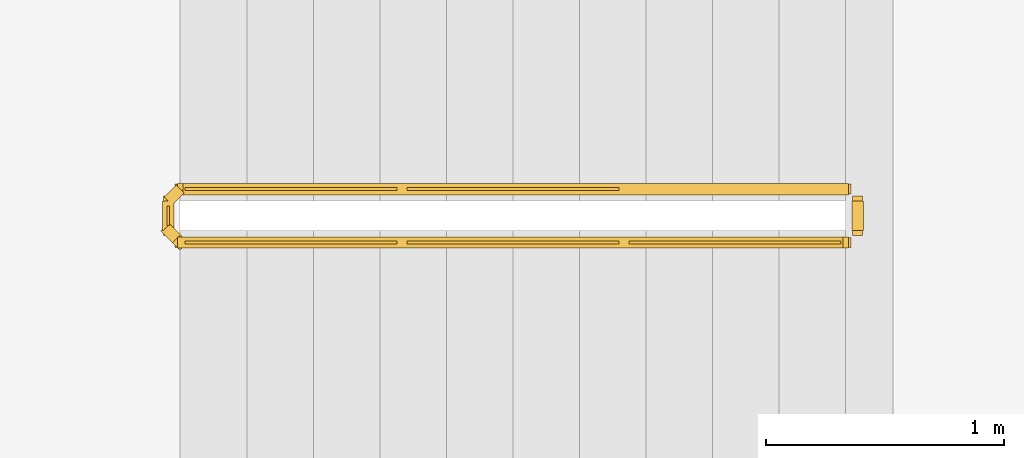
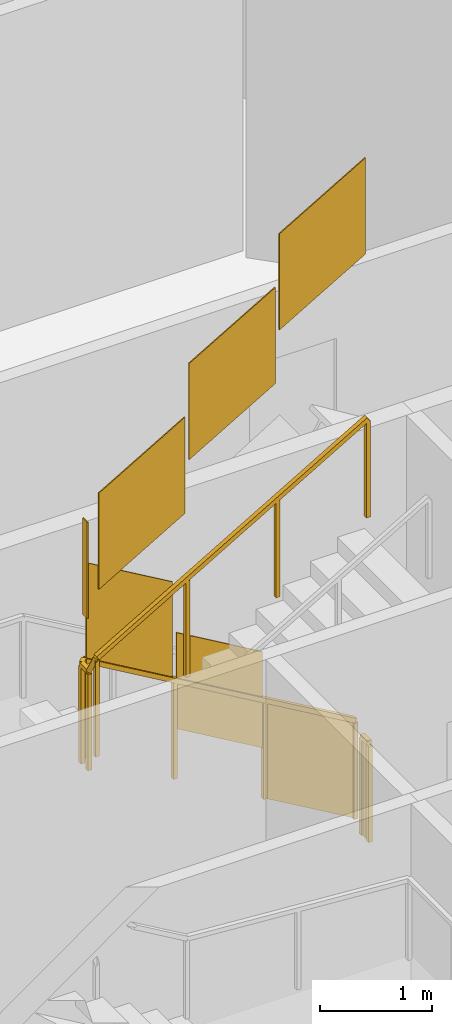
# One storey, part 18 of 21: 2 railings.
"""IFC4 building model written with IfcOpenShell, lengths in metres."""

import ifcopenshell
import ifcopenshell.guid

model = None  # the IFC model being written
_history = None  # IfcOwnerHistory: only IFC2X3 demands one
_inside = {}  # id of a spatial element -> (the spatial element, [elements in it])
_under = {}  # id of a project, library or spatial element -> (it, [spatial elements below it])
_declared = {}  # id of a project -> (the project, [libraries it declares])
_typed = {}  # id of a type object -> (the type object, [elements of that type])
_made_of = {}  # id of a material, layer set ... -> (it, [elements and type objects made of it])


def new_model(schema):
    """Start an empty IFC model of exactly this schema.

    Asked for "IFC4X3", IfcOpenShell would pick the latest addendum, in which some entities
    have other attributes; the version numbers below select the first issue.
    IFC2X3 requires an IfcOwnerHistory on every rooted entity: one is made here for all.
    """
    global model, _history
    if schema == "IFC4X3":
        model = ifcopenshell.file(schema_version=(4, 3, 0, 0))
    else:
        model = ifcopenshell.file(schema=schema)
    _inside.clear()
    _under.clear()
    _declared.clear()
    _typed.clear()
    _made_of.clear()
    _history = None
    if model.schema == "IFC2X3":
        org = make("IfcOrganization", Name="unknown")
        user = make(
            "IfcPersonAndOrganization",
            ThePerson=make("IfcPerson", FamilyName="unknown"),
            TheOrganization=org,
        )
        app = make(
            "IfcApplication",
            ApplicationDeveloper=org,
            Version="unknown",
            ApplicationFullName="unknown",
            ApplicationIdentifier="unknown",
        )
        _history = make(
            "IfcOwnerHistory",
            OwningUser=user,
            OwningApplication=app,
            ChangeAction="ADDED",
            CreationDate=0,
        )
    return model


def make(cls, **values):
    """One entity of the class cls with the attributes given. An attribute that is None is left unset."""
    return model.create_entity(
        cls, **{name: value for name, value in values.items() if value is not None}
    )


def rooted(cls, **values):
    """An entity with a GlobalId (a new one), such as an element, a storey or a relation."""
    return make(cls, GlobalId=ifcopenshell.guid.new(), OwnerHistory=_history, **values)


def si_unit(unit_type, name, prefix=None):
    """IfcSIUnit, for example si_unit("LENGTHUNIT", "METRE", prefix="MILLI")."""
    return make("IfcSIUnit", UnitType=unit_type, Prefix=prefix, Name=name)


def assignment(units):
    """IfcUnitAssignment: the units of a project."""
    return None if units is None else make("IfcUnitAssignment", Units=units)


def point(xyz):
    """IfcCartesianPoint."""
    return None if xyz is None else make("IfcCartesianPoint", Coordinates=xyz)


def direction(xyz):
    """IfcDirection."""
    return None if xyz is None else make("IfcDirection", DirectionRatios=xyz)


def frame(location, z_axis=None, x_axis=None):
    """IfcAxis2Placement3D, a coordinate frame: its origin and axes. An axis left out is left unset."""
    return make(
        "IfcAxis2Placement3D",
        Location=point(location),
        Axis=direction(z_axis),
        RefDirection=direction(x_axis),
    )


def frame_2d(location, x_axis=None):
    """IfcAxis2Placement2D, a coordinate frame in the plane: its origin and x axis."""
    return make(
        "IfcAxis2Placement2D", Location=point(location), RefDirection=direction(x_axis)
    )


def origin():
    """The frame at (0, 0, 0) with its axes left unset."""
    return frame((0.0, 0.0, 0.0))


def origin_2d():
    """The frame at (0, 0) in the plane with its x axis left unset."""
    return frame_2d((0.0, 0.0))


def place(relative_to, where):
    """IfcLocalPlacement: puts the frame where relative to a parent placement (None: the world)."""
    return make(
        "IfcLocalPlacement", PlacementRelTo=relative_to, RelativePlacement=where
    )


def context(
    kind, dimensions, precision=None, world=None, true_north=None, identifier=None
):
    """IfcGeometricRepresentationContext, for example the 3D "Model" context."""
    return make(
        "IfcGeometricRepresentationContext",
        ContextIdentifier=identifier,
        ContextType=kind,
        CoordinateSpaceDimension=dimensions,
        Precision=precision,
        WorldCoordinateSystem=world,
        TrueNorth=true_north,
    )


def subcontext(parent, identifier, kind, view, scale=None):
    """IfcGeometricRepresentationSubContext, for example "Body" below "Model"."""
    return make(
        "IfcGeometricRepresentationSubContext",
        ContextIdentifier=identifier,
        ContextType=kind,
        ParentContext=parent,
        TargetScale=scale,
        TargetView=view,
    )


def project(units=None, contexts=None):
    """IfcProject with its units and contexts."""
    return rooted(
        "IfcProject",
        Name="project",
        RepresentationContexts=contexts,
        UnitsInContext=assignment(units),
    )


def spatial(cls, under=None, at=None, **own):
    """A site, building, storey or space (cls), placed at a placement, below another one or the project."""
    s = rooted(cls, ObjectPlacement=at, **own)
    if under is not None:
        _under.setdefault(under.id(), (under, []))[1].append(s)
    return s


def polyline(points):
    """IfcPolyline through the points."""
    return make("IfcPolyline", Points=[point(p) for p in points])


def profile(cls, at=None, kind="AREA", **sizes):
    """A parametric profile (cls). Its sizes go by their IFC names, for example OverallWidth=200.0."""
    return make(cls, ProfileType=kind, Position=at, **sizes)


def rectangle(**sizes):
    """IfcRectangleProfileDef."""
    return profile("IfcRectangleProfileDef", **sizes)


def outline(outer, holes=None, kind="AREA"):
    """IfcArbitraryClosedProfileDef: a profile drawn as a closed curve; with holes, ...WithVoids."""
    if holes is None:
        return make("IfcArbitraryClosedProfileDef", ProfileType=kind, OuterCurve=outer)
    return make(
        "IfcArbitraryProfileDefWithVoids",
        ProfileType=kind,
        OuterCurve=outer,
        InnerCurves=holes,
    )


def extrude(swept, where, along, depth):
    """IfcExtrudedAreaSolid: the profile swept, set in the frame where, extruded along a direction by depth."""
    return make(
        "IfcExtrudedAreaSolid",
        SweptArea=swept,
        Position=where,
        ExtrudedDirection=direction(along),
        Depth=depth,
    )


def shape(context_of_items, identifier, shape_type, items):
    """IfcShapeRepresentation: the items that make up one representation, for example the "Body"."""
    return make(
        "IfcShapeRepresentation",
        ContextOfItems=context_of_items,
        RepresentationIdentifier=identifier,
        RepresentationType=shape_type,
        Items=items,
    )


def material(Name=None, Category=None):
    """IfcMaterial."""
    return make("IfcMaterial", Name=Name, Category=Category)


def made_of(thing, what):
    """Note that an element or type object is made of a material, layer set ...; save() writes the relation."""
    if what is not None:
        _made_of.setdefault(what.id(), (what, []))[1].append(thing)
    return thing


def type_object(cls, material=None, **own):
    """A type object (cls), such as IfcWallType, which elements share."""
    return made_of(rooted(cls, **own), material)


def element(
    cls,
    number,
    at=None,
    inside=None,
    cuts=None,
    type_object=None,
    material=None,
    context=None,
    identifier="Body",
    shape_type=None,
    held_by="IfcProductDefinitionShape",
    body=None,
    shapes=None,
    **own,
):
    """One element of the class cls, such as IfcWall. Its Tag is "e" and its number.

    at: its placement. inside: the storey or other place that contains it. cuts: it is an
    opening in that element (IfcRelVoidsElement). A single representation is given by context,
    identifier, shape_type and body (its items); several are given by shapes. held_by: the class
    of the entity that holds the representations. save() writes the other relations.
    """
    e = rooted(cls, Tag="e%d" % number, ObjectPlacement=at, **own)
    if body is not None:
        shapes = [shape(context, identifier, shape_type, body)]
    if shapes is not None:
        e.Representation = make(held_by, Representations=shapes)
    if inside is not None:
        _inside.setdefault(inside.id(), (inside, []))[1].append(e)
    if cuts is not None:
        rooted(
            "IfcRelVoidsElement", RelatingBuildingElement=cuts, RelatedOpeningElement=e
        )
    if type_object is not None:
        _typed.setdefault(type_object.id(), (type_object, []))[1].append(e)
    return made_of(e, material)


def aggregate(whole, parts):
    """IfcRelAggregates: a whole, such as a stair, and the parts it consists of."""
    return rooted("IfcRelAggregates", RelatingObject=whole, RelatedObjects=parts)


def save(model, path):
    """Write the relations noted so far, then the file.

    IfcRelAggregates (storeys below a building ...), IfcRelContainedInSpatialStructure (elements
    in a storey), IfcRelDefinesByType, IfcRelAssociatesMaterial and IfcRelDeclares: one each for
    every whole, place, type object, material and project.
    """
    for whole, parts in _under.values():
        aggregate(whole, parts)
    for where, things in _inside.values():
        rooted(
            "IfcRelContainedInSpatialStructure",
            RelatedElements=things,
            RelatingStructure=where,
        )
    for kind, things in _typed.values():
        rooted("IfcRelDefinesByType", RelatedObjects=things, RelatingType=kind)
    for what, things in _made_of.values():
        rooted("IfcRelAssociatesMaterial", RelatedObjects=things, RelatingMaterial=what)
    for by, libraries in _declared.values():
        rooted("IfcRelDeclares", RelatingContext=by, RelatedDefinitions=libraries)
    model.write(path)


model = new_model("IFC4")

# Units and contexts
model_context = context("Model", 3, precision=1e-05, world=origin(), true_north=direction((0.0, 1.0)))
body_context = subcontext(model_context, "Body", "Model", "MODEL_VIEW")
ifc_project = project(units=[si_unit("LENGTHUNIT", "METRE"), si_unit("AREAUNIT", "SQUARE_METRE"), si_unit("VOLUMEUNIT", "CUBIC_METRE"), si_unit("PLANEANGLEUNIT", "RADIAN"), si_unit("MASSUNIT", "GRAM", prefix="KILO")], contexts=[model_context])

# Site, building, storey
site_placement = place(None, origin())
site = spatial("IfcSite", under=ifc_project, at=site_placement, CompositionType="ELEMENT")
building_placement = place(site_placement, origin())
building = spatial("IfcBuilding", under=site, at=building_placement, Name="Cairn Pilgrim Tower", CompositionType="ELEMENT")
storey_placement = place(building_placement, frame((0.0, 0.0, 179.39990234375)))
storey = spatial("IfcBuildingStorey", under=building, at=storey_placement, Name="L45", CompositionType="ELEMENT", Elevation=179.39990234375)

# Railings
ifc_material = material(Name="Painted steel", Category="steel")
railing_type = type_object("IfcRailingType", Name="STAIR GUARD 1100", PredefinedType="GUARDRAIL", material=ifc_material)
railing_1_placement = place(storey_placement, frame((11.425048828125, 8.949951171875, 0.163818359375)))
element("IfcRailing", 1, at=railing_1_placement, inside=storey, type_object=railing_type, Name="L45 ST-C stair guard 1", PredefinedType="GUARDRAIL", context=body_context, shape_type="SweptSolid", body=[
    extrude(rectangle(XDim=0.048095703125, YDim=0.048095703125, at=origin_2d()), frame((0.0, 0.0, 1.076171875), z_axis=(-0.863393664356, 0.0, 0.504530851732), x_axis=(0.0, -1.0, 0.0)), (0.0, 0.0, 1.0), 3.2431640625),
    extrude(rectangle(XDim=0.048095703125, YDim=0.048095703125, at=origin_2d()), frame((-2.800048828125, 0.0, 2.71240234375), z_axis=(-0.707106781187, -0.707106781187, 0.0), x_axis=(0.707106781187, -0.707106781187, 0.0)), (0.0, 0.0, 1.0), 0.07080078125),
    extrude(rectangle(XDim=0.048095703125, YDim=0.048095703125, at=origin_2d()), frame((-2.85009765625, -0.050048828125, 2.71240234375), z_axis=(0.0, -1.0, 0.0), x_axis=(1.0, 0.0, 0.0)), (0.0, 0.0, 1.0), 0.125),
    extrude(rectangle(XDim=0.048095703125, YDim=0.048095703125, at=origin_2d()), frame((-2.85009765625, -0.175048828125, 2.71240234375), z_axis=(0.280916556609, -0.279546231943, 0.91811752648), x_axis=(0.705375805398, 0.708833529934, 0.0)), (0.0, 0.0, 1.0), 0.17822265625),
    extrude(rectangle(XDim=0.048095703125, YDim=0.048095703125, at=origin_2d()), frame((-2.800048828125, -0.224853515625, 2.8759765625), z_axis=(0.863360870873, 0.0, 0.504586966384), x_axis=(0.0, 1.0, 0.0)), (0.0, 0.0, 1.0), 3.2431640625),
    extrude(rectangle(XDim=0.0419921875, YDim=0.0419921875, at=origin_2d()), origin(), (0.0, 0.0, 1.0), 1.052001953125),
    extrude(rectangle(XDim=0.0419921875, YDim=0.0419921875, at=origin_2d()), frame((-0.933349609375, 0.0, 0.54541015625)), (0.0, 0.0, 1.0), 1.052001953125),
    extrude(rectangle(XDim=0.0419921875, YDim=0.0419921875, at=origin_2d()), frame((-1.86669921875, 0.0, 1.0908203125)), (0.0, 0.0, 1.0), 1.052001953125),
    extrude(rectangle(XDim=0.0419921875, YDim=0.0419921875, at=origin_2d()), frame((-2.800048828125, 0.0, 1.63623046875)), (0.0, 0.0, 1.0), 1.052001953125),
    extrude(rectangle(XDim=0.0419921875, YDim=0.0419921875, at=origin_2d()), frame((-2.85009765625, -0.050048828125, 1.63623046875)), (0.0, 0.0, 1.0), 1.052001953125),
    extrude(rectangle(XDim=0.0419921875, YDim=0.0419921875, at=origin_2d()), frame((-2.85009765625, -0.175048828125, 1.63623046875)), (0.0, 0.0, 1.0), 1.052001953125),
    extrude(rectangle(XDim=0.0419921875, YDim=0.0419921875, at=origin_2d()), frame((-2.800048828125, -0.224853515625, 1.7998046875)), (0.0, 0.0, 1.0), 1.052001953125),
    extrude(rectangle(XDim=0.0419921875, YDim=0.0419921875, at=origin_2d()), frame((-1.86669921875, -0.224853515625, 2.34521484375)), (0.0, 0.0, 1.0), 1.052001953125),
    extrude(rectangle(XDim=0.0419921875, YDim=0.0419921875, at=origin_2d()), frame((-0.933349609375, -0.224853515625, 2.890869140625)), (0.0, 0.0, 1.0), 1.052001953125),
    extrude(rectangle(XDim=0.0419921875, YDim=0.0419921875, at=origin_2d()), frame((0.0, -0.224853515625, 3.436279296875)), (0.0, 0.0, 1.0), 1.052001953125),
    extrude(outline(polyline([(0.02099609375, 0.01220703125), (0.912353515625, 0.533203125), (0.912353515625, 1.585205078125), (0.02099609375, 1.064208984375), (0.02099609375, 0.01220703125)])), frame((0.0, -0.005859375, 0.0), z_axis=(0.0, 1.0, 0.0), x_axis=(-1.0, 0.0, 0.0)), (0.0, 0.0, 1.0), 0.011962890625),
    extrude(outline(polyline([(0.02099609375, 0.5576171875), (0.912353515625, 1.07861328125), (0.912353515625, 2.130615234375), (0.02099609375, 1.609619140625), (0.02099609375, 0.5576171875)])), frame((-0.933349609375, -0.005859375, 0.54541015625), z_axis=(0.0, 1.0, 0.0), x_axis=(-1.0, 0.0, 0.0)), (0.0, 0.0, 1.0), 0.011962890625),
    extrude(outline(polyline([(0.02099609375, 1.10302734375), (0.912353515625, 1.6240234375), (0.912353515625, 2.676025390625), (0.02099609375, 2.155029296875), (0.02099609375, 1.10302734375)])), frame((-1.86669921875, -0.005859375, 1.0908203125), z_axis=(0.0, 1.0, 0.0), x_axis=(-1.0, 0.0, 0.0)), (0.0, 0.0, 1.0), 0.011962890625),
    extrude(outline(polyline([(0.02099609375, 1.63623046875), (0.10400390625, 1.63623046875), (0.10400390625, 2.688232421875), (0.02099609375, 2.688232421875), (0.02099609375, 1.63623046875)])), frame((-2.84423828125, -0.050048828125, 1.63623046875), z_axis=(-1.0, 0.0, 0.0), x_axis=(0.0, -1.0, 0.0)), (0.0, 0.0, 1.0), 0.011962890625),
    extrude(outline(polyline([(0.02099609375, 1.81201171875), (0.912353515625, 2.3330078125), (0.912353515625, 3.385009765625), (0.02099609375, 2.864013671875), (0.02099609375, 1.81201171875)])), frame((-2.800048828125, -0.21875, 1.7998046875), z_axis=(0.0, -1.0, 0.0), x_axis=(1.0, 0.0, 0.0)), (0.0, 0.0, 1.0), 0.011962890625),
    extrude(outline(polyline([(0.02099609375, 2.357666015625), (0.912353515625, 2.87841796875), (0.912353515625, 3.930419921875), (0.02099609375, 3.40966796875), (0.02099609375, 2.357666015625)])), frame((-1.86669921875, -0.21875, 2.34521484375), z_axis=(0.0, -1.0, 0.0), x_axis=(1.0, 0.0, 0.0)), (0.0, 0.0, 1.0), 0.011962890625),
    extrude(outline(polyline([(0.02099609375, 2.903076171875), (0.912353515625, 3.424072265625), (0.912353515625, 4.47607421875), (0.02099609375, 3.955078125), (0.02099609375, 2.903076171875)])), frame((-0.933349609375, -0.21875, 2.890869140625), z_axis=(0.0, -1.0, 0.0), x_axis=(1.0, 0.0, 0.0)), (0.0, 0.0, 1.0), 0.011962890625),
])
railing_2_placement = place(storey_placement, frame((11.47509765625, 8.89990234375, 0.0)))
element("IfcRailing", 2, at=railing_2_placement, inside=storey, type_object=railing_type, Name="L45 ST-C stair guard 2", PredefinedType="GUARDRAIL", context=body_context, shape_type="SweptSolid", body=[
    extrude(rectangle(XDim=0.048095703125, YDim=0.048095703125, at=origin_2d()), frame((0.0, 0.0, 1.076171875), z_axis=(0.0, -1.0, 0.0), x_axis=(1.0, 0.0, 0.0)), (0.0, 0.0, 1.0), 0.125),
    extrude(rectangle(XDim=0.0419921875, YDim=0.0419921875, at=origin_2d()), origin(), (0.0, 0.0, 1.0), 1.052001953125),
    extrude(rectangle(XDim=0.0419921875, YDim=0.0419921875, at=origin_2d()), frame((0.0, -0.125, 0.0)), (0.0, 0.0, 1.0), 1.052001953125),
    extrude(outline(polyline([(0.02099609375, 0.0), (0.10400390625, 0.0), (0.10400390625, 1.052001953125), (0.02099609375, 1.052001953125), (0.02099609375, 0.0)])), frame((0.005859375, 0.0, 0.0), z_axis=(-1.0, 0.0, 0.0), x_axis=(0.0, -1.0, 0.0)), (0.0, 0.0, 1.0), 0.011962890625),
])

save(model, "model.ifc")
